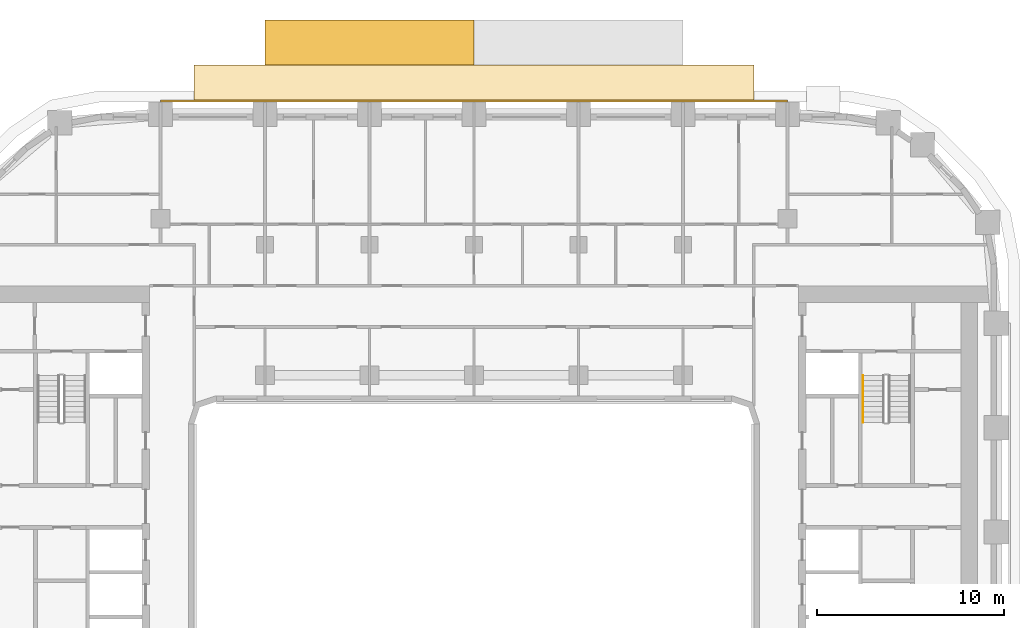
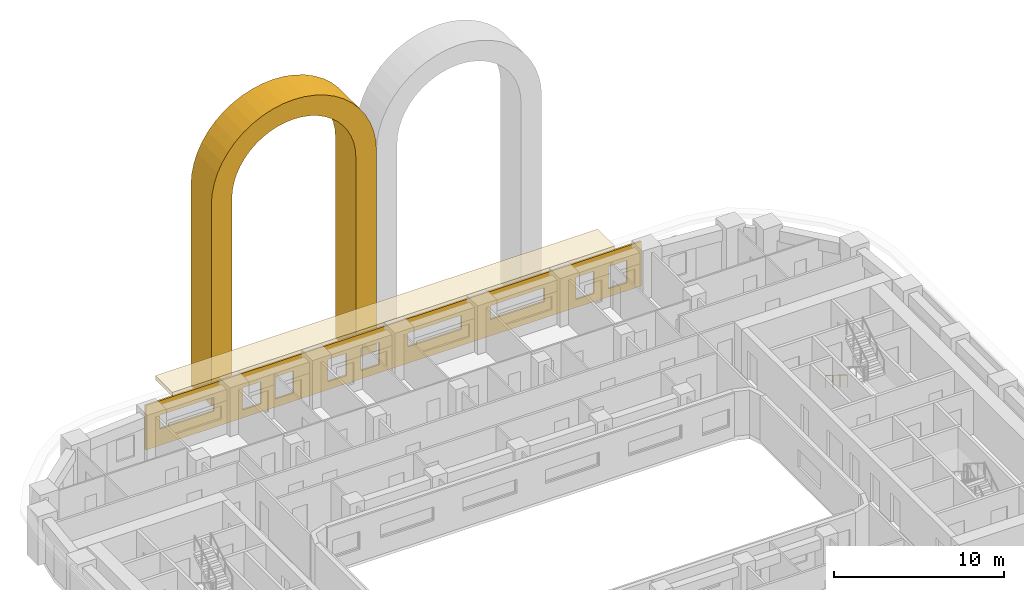
# One storey, part 18 of 19: 3 coverings, 1 railing.
"""IFC4 building model written with IfcOpenShell, lengths in metres."""

from ifc_helpers import new_model, si_unit, direction, frame, origin, origin_2d, place, context, subcontext, project, spatial, polyline, circle, outline, extrude, material, layer, layer_set, type_object, element, save


model = new_model("IFC4")

# Units and contexts
model_context = context("Model", 3, precision=1e-05, world=origin(), true_north=direction((0.0, 1.0)))
body_context = subcontext(model_context, "Body", "Model", "MODEL_VIEW")
ifc_project = project(units=[si_unit("LENGTHUNIT", "METRE"), si_unit("AREAUNIT", "SQUARE_METRE"), si_unit("VOLUMEUNIT", "CUBIC_METRE"), si_unit("PLANEANGLEUNIT", "RADIAN"), si_unit("MASSUNIT", "GRAM", prefix="KILO")], contexts=[model_context])

# Site, building, storey
site_placement = place(None, origin())
site = spatial("IfcSite", under=ifc_project, at=site_placement, CompositionType="ELEMENT")
building_placement = place(site_placement, origin())
building = spatial("IfcBuilding", under=site, at=building_placement, Name="Kiln Ring Residences", CompositionType="ELEMENT")
storey_placement = place(building_placement, frame((0.0, 0.0, 104.300048828125)))
storey = spatial("IfcBuildingStorey", under=building, at=storey_placement, Name="L26", CompositionType="ELEMENT", Elevation=104.300048828125)

# Covering
ifc_material_1 = material(Name="Brick masonry, dark clay brick", Category="masonry")
ifc_layer_1 = layer(ifc_material_1, 1.39990234375)
ifc_layer_set_1 = layer_set([ifc_layer_1], Name="ARCH SURROUND 2400")
covering_type_1 = type_object("IfcCoveringType", Name="ARCH SURROUND 2400", PredefinedType="CLADDING", material=ifc_layer_set_1)
covering_1_placement = place(storey_placement, frame((-11.199951171875, 26.25, 0.0), z_axis=(0.0, 0.0, 1.0), x_axis=(1.0, 0.0, 0.0)))
element("IfcCovering", 1, at=covering_1_placement, inside=storey, type_object=covering_type_1, Name="ARCH SURROUND Z2 N2.1", PredefinedType="CLADDING", context=body_context, shape_type="SweptSolid", body=[
    extrude(outline(polyline([(0.0, 0.0), (0.0, 14.39990234375), (0.0478515625, 15.130859375), (0.19091796875, 15.849365234375), (0.42626953125, 16.54296875), (0.750244140625, 17.199951171875), (1.1572265625, 17.80908203125), (1.64013671875, 18.35986328125), (2.19091796875, 18.8427734375), (2.800048828125, 19.249755859375), (3.45703125, 19.57373046875), (4.150634765625, 19.80908203125), (4.869140625, 19.9521484375), (5.60009765625, 20.0), (6.330810546875, 19.9521484375), (7.04931640625, 19.80908203125), (7.742919921875, 19.57373046875), (8.39990234375, 19.249755859375), (9.009033203125, 18.8427734375), (9.559814453125, 18.35986328125), (10.042724609375, 17.80908203125), (10.44970703125, 17.199951171875), (10.773681640625, 16.54296875), (11.00927734375, 15.849365234375), (11.152099609375, 15.130859375), (11.199951171875, 14.39990234375), (11.199951171875, 0.0), (9.800048828125, 0.0), (9.800048828125, 14.39990234375), (9.76416015625, 14.9482421875), (9.656982421875, 15.487060546875), (9.480224609375, 16.00732421875), (9.2373046875, 16.5), (8.93212890625, 16.956787109375), (8.56982421875, 17.369873046875), (8.15673828125, 17.73193359375), (7.699951171875, 18.037353515625), (7.207275390625, 18.2802734375), (6.68701171875, 18.456787109375), (6.148193359375, 18.56396484375), (5.60009765625, 18.599853515625), (5.0517578125, 18.56396484375), (4.512939453125, 18.456787109375), (3.99267578125, 18.2802734375), (3.5, 18.037353515625), (3.043212890625, 17.73193359375), (2.630126953125, 17.369873046875), (2.267822265625, 16.956787109375), (1.962646484375, 16.5), (1.7197265625, 16.00732421875), (1.543212890625, 15.487060546875), (1.435791015625, 14.9482421875), (1.39990234375, 14.39990234375), (1.39990234375, 0.0), (0.0, 0.0)])), frame((0.0, 1.199951171875, 0.0), z_axis=(0.0, -1.0, 0.0), x_axis=(1.0, 0.0, 0.0)), (0.0, 0.0, 1.0), 2.39990234375),
])

# Railing
ifc_material_2 = material(Name="Stainless steel", Category="steel")
railing_type = type_object("IfcRailingType", Name="CORE-STAIR-HANDRAIL", PredefinedType="HANDRAIL", material=ifc_material_2)
railing_placement = place(storey_placement, frame((20.85009765625, 8.39990234375, 0.175048828125)))
element("IfcRailing", 2, at=railing_placement, inside=storey, type_object=railing_type, Name="L26 E-STN stair handrail 1", PredefinedType="HANDRAIL", context=body_context, shape_type="SweptSolid", body=[
    extrude(circle(Radius=0.02392578125, at=origin_2d()), frame((0.0, 0.0, 0.8759765625), z_axis=(0.0, -0.848007534815, 0.529984170421), x_axis=(1.0, 0.0, 0.0)), (0.0, 0.0, 1.0), 2.9716796875),
    extrude(circle(Radius=0.02099609375, at=origin_2d()), origin(), (0.0, 0.0, 1.0), 0.851806640625),
    extrude(circle(Radius=0.02099609375, at=origin_2d()), frame((0.0, -0.840087890625, 0.52490234375)), (0.0, 0.0, 1.0), 0.851806640625),
    extrude(circle(Radius=0.02099609375, at=origin_2d()), frame((0.0, -1.679931640625, 1.050048828125)), (0.0, 0.0, 1.0), 0.851806640625),
    extrude(circle(Radius=0.02099609375, at=origin_2d()), frame((0.0, -2.52001953125, 1.574951171875)), (0.0, 0.0, 1.0), 0.851806640625),
])

# Coverings
ifc_material_3 = material(Name="Brick masonry, dark clay brick", Category="masonry")
ifc_layer_2 = layer(ifc_material_3, 0.1201171875)
ifc_layer_set_2 = layer_set([ifc_layer_2], Name="RAINSCREEN PANEL 120")
covering_type_2 = type_object("IfcCoveringType", Name="RAINSCREEN PANEL 120", PredefinedType="CLADDING", material=ifc_layer_set_2)
covering_2_placement = place(storey_placement, frame((16.800048828125, 23.110107421875, 0.0), z_axis=(0.0, 0.0, 1.0), x_axis=(-1.0, 0.0, 0.0)))
element("IfcCovering", 3, at=covering_2_placement, inside=storey, type_object=covering_type_2, Name="RAINSCREEN L26", PredefinedType="CLADDING", context=body_context, shape_type="SweptSolid", body=[
    extrude(outline(polyline([(0.0, 0.0), (33.60009765625, 0.0), (33.60009765625, 3.199951171875), (0.0, 3.199951171875), (0.0, 0.0)]), holes=[polyline([(0.967529296875, 0.579833984375), (2.20751953125, 0.579833984375), (2.20751953125, 2.169921875), (0.967529296875, 2.169921875), (0.967529296875, 0.579833984375)]), polyline([(3.1923828125, 0.579833984375), (4.4326171875, 0.579833984375), (4.4326171875, 2.169921875), (3.1923828125, 2.169921875), (3.1923828125, 0.579833984375)]), polyline([(17.767578125, 0.579833984375), (19.007568359375, 0.579833984375), (19.007568359375, 2.169921875), (17.767578125, 2.169921875), (17.767578125, 0.579833984375)]), polyline([(19.992431640625, 0.579833984375), (21.232421875, 0.579833984375), (21.232421875, 2.169921875), (19.992431640625, 2.169921875), (19.992431640625, 0.579833984375)]), polyline([(23.5673828125, 0.579833984375), (24.8076171875, 0.579833984375), (24.8076171875, 2.169921875), (23.5673828125, 2.169921875), (23.5673828125, 0.579833984375)]), polyline([(25.79248046875, 0.579833984375), (27.032470703125, 0.579833984375), (27.032470703125, 2.169921875), (25.79248046875, 2.169921875), (25.79248046875, 0.579833984375)]), polyline([(6.580078125, 1.179931640625), (10.219970703125, 1.179931640625), (10.219970703125, 2.169921875), (6.580078125, 2.169921875), (6.580078125, 1.179931640625)]), polyline([(12.179931640625, 2.169921875), (12.179931640625, 1.179931640625), (15.820068359375, 1.179931640625), (15.820068359375, 2.169921875), (12.179931640625, 2.169921875)]), polyline([(28.97998046875, 2.169921875), (28.97998046875, 1.179931640625), (32.6201171875, 1.179931640625), (32.6201171875, 2.169921875), (28.97998046875, 2.169921875)])]), frame((0.0, 0.06005859375, 0.0), z_axis=(0.0, -1.0, 0.0), x_axis=(1.0, 0.0, 0.0)), (0.0, 0.0, 1.0), 0.1201171875),
])
ifc_material_4 = material(Name="Black powder-coated steel", Category="steel")
ifc_layer_3 = layer(ifc_material_4, 0.300048828125)
ifc_layer_set_3 = layer_set([ifc_layer_3], Name="SUNSHADE BAND 2000")
covering_type_3 = type_object("IfcCoveringType", Name="SUNSHADE BAND 2000", PredefinedType="CLADDING", material=ifc_layer_set_3)
covering_3_placement = place(storey_placement, frame((0.0, 0.0, 3.199951171875)))
element("IfcCovering", 4, at=covering_3_placement, inside=storey, type_object=covering_type_3, Name="SUNSHADE BAND L26", PredefinedType="CLADDING", context=body_context, shape_type="SweptSolid", body=[
    extrude(outline(polyline([(15.0, 25.050048828125), (-15.0, 25.050048828125), (-15.0, 23.050048828125), (15.0, 23.050048828125), (15.0, 25.050048828125)])), origin(), (0.0, 0.0, 1.0), 0.300048828125),
])

save(model, "model.ifc")
